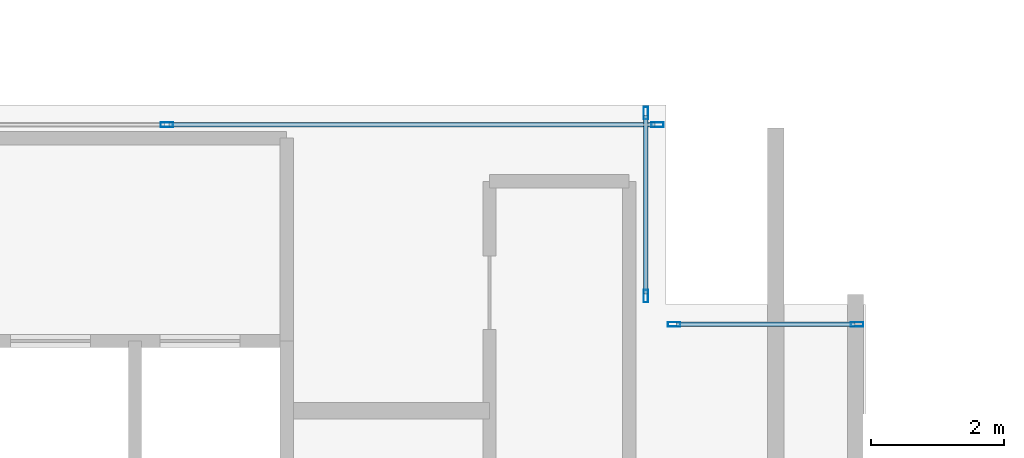
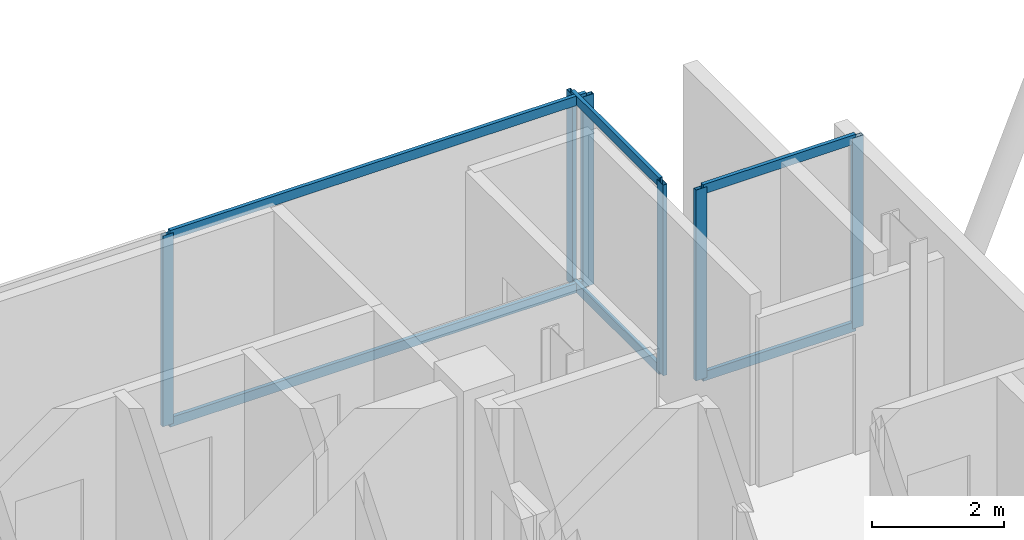
# One storey, part 13 of 26: 12 members, 3 elements without a shape of their own.
"""IFC4 building model written with IfcOpenShell, lengths in metres."""

from ifc_helpers import new_model, si_unit, direction, frame, origin, origin_2d, place, context, subcontext, project, spatial, hollow_rectangle, extrude, material, layer, layer_set, material_profile, profile_set, type_object, element, aggregate, save


model = new_model("IFC4")

# Units and contexts
model_context = context("Model", 3, precision=1e-05, world=origin(), true_north=direction((0.0, 1.0)))
body_context = subcontext(model_context, "Body", "Model", "MODEL_VIEW")
ifc_project = project(units=[si_unit("LENGTHUNIT", "METRE"), si_unit("AREAUNIT", "SQUARE_METRE"), si_unit("VOLUMEUNIT", "CUBIC_METRE"), si_unit("PLANEANGLEUNIT", "RADIAN"), si_unit("MASSUNIT", "GRAM", prefix="KILO"), si_unit("THERMODYNAMICTEMPERATUREUNIT", "KELVIN"), si_unit("POWERUNIT", "WATT")], contexts=[model_context])

# Site, building, storey
site_placement = place(None, origin())
site = spatial("IfcSite", under=ifc_project, at=site_placement, CompositionType="ELEMENT")
building_placement = place(site_placement, origin())
building = spatial("IfcBuilding", under=site, at=building_placement, Name="Svarakhadi Broadcast Tower", CompositionType="ELEMENT")
storey_placement = place(building_placement, frame((0.0, 0.0, 184.199951171875)))
storey = spatial("IfcBuildingStorey", under=building, at=storey_placement, Name="L45", CompositionType="ELEMENT", Elevation=184.199951171875)

# Curtain wall, members
ifc_material = material(Name="Anodised Bronze Aluminium AA 6063-T6", Category="aluminium")
ifc_layer = layer(ifc_material, 0.18994140625)
ifc_layer_set = layer_set([ifc_layer], Name="Anodised Bronze Aluminium AA 6063-T6")
curtain_wall_type = type_object("IfcCurtainWallType", Name="CW_Sys_04", PredefinedType="NOTDEFINED", material=ifc_layer_set)
curtain_wall_1_placement = place(storey_placement, origin())
curtain_wall_1 = element("IfcCurtainWall", 1, at=curtain_wall_1_placement, inside=storey, type_object=curtain_wall_type, Name="L45 Unitised Facade Curtain Wall 10", PredefinedType="NOTDEFINED")
ifc_material_profile_1 = material_profile(ifc_material, hollow_rectangle(XDim=0.070068359375, YDim=0.18994140625, WallThickness=0.005615234375, at=origin_2d()), Name="ALU MULLION 190x70x6")
ifc_profile_set_1 = profile_set([ifc_material_profile_1], Name="Anodised Bronze Aluminium AA 6063-T6")
member_type_1 = type_object("IfcMemberType", Name="CW_Sys_04_Mul", PredefinedType="MULLION", material=ifc_profile_set_1)
member_1_placement = place(storey_placement, frame((31.5, 23.699951171875, 0.0), z_axis=(0.0, 0.0, 1.0), x_axis=(0.0, 1.0, 0.0)))
member_1 = element("IfcMember", 2, at=member_1_placement, type_object=member_type_1, Name="CW-04 mullion 2", PredefinedType="MULLION", context=body_context, shape_type="SweptSolid", body=[
    extrude(hollow_rectangle(XDim=0.070068359375, YDim=0.18994140625, WallThickness=0.005615234375, at=origin_2d()), origin(), (0.0, 0.0, 1.0), 3.5400390625),
])
member_2_placement = place(storey_placement, frame((38.875, 23.699951171875, 0.0), z_axis=(0.0, 0.0, 1.0), x_axis=(0.0, 1.0, 0.0)))
member_2 = element("IfcMember", 3, at=member_2_placement, type_object=member_type_1, Name="CW-04 mullion 3", PredefinedType="MULLION", context=body_context, shape_type="SweptSolid", body=[
    extrude(hollow_rectangle(XDim=0.070068359375, YDim=0.18994140625, WallThickness=0.005615234375, at=origin_2d()), origin(), (0.0, 0.0, 1.0), 3.5400390625),
])

curtain_wall_2_placement = place(storey_placement, origin())
curtain_wall_2 = element("IfcCurtainWall", 4, at=curtain_wall_2_placement, inside=storey, type_object=curtain_wall_type, Name="L45 Unitised Facade Curtain Wall 11", PredefinedType="NOTDEFINED")
member_3_placement = place(storey_placement, frame((38.699951171875, 23.875, 0.0), z_axis=(0.0, 0.0, 1.0), x_axis=(1.0, 0.0, 0.0)))
member_3 = element("IfcMember", 5, at=member_3_placement, type_object=member_type_1, Name="CW-04 mullion 1", PredefinedType="MULLION", context=body_context, shape_type="SweptSolid", body=[
    extrude(hollow_rectangle(XDim=0.070068359375, YDim=0.18994140625, WallThickness=0.005615234375, at=origin_2d()), origin(), (0.0, 0.0, 1.0), 3.5400390625),
])
member_4_placement = place(storey_placement, frame((38.699951171875, 21.125, 0.0), z_axis=(0.0, 0.0, 1.0), x_axis=(1.0, 0.0, 0.0)))
member_4 = element("IfcMember", 6, at=member_4_placement, type_object=member_type_1, Name="CW-04 mullion 2", PredefinedType="MULLION", context=body_context, shape_type="SweptSolid", body=[
    extrude(hollow_rectangle(XDim=0.070068359375, YDim=0.18994140625, WallThickness=0.005615234375, at=origin_2d()), origin(), (0.0, 0.0, 1.0), 3.5400390625),
])

curtain_wall_3_placement = place(storey_placement, origin())
curtain_wall_3 = element("IfcCurtainWall", 7, at=curtain_wall_3_placement, inside=storey, type_object=curtain_wall_type, Name="L45 Unitised Facade Curtain Wall 12", PredefinedType="NOTDEFINED")
member_5_placement = place(storey_placement, frame((39.125, 20.699951171875, 0.0), z_axis=(0.0, 0.0, 1.0), x_axis=(0.0, 1.0, 0.0)))
member_5 = element("IfcMember", 8, at=member_5_placement, type_object=member_type_1, Name="CW-04 mullion 1", PredefinedType="MULLION", context=body_context, shape_type="SweptSolid", body=[
    extrude(hollow_rectangle(XDim=0.070068359375, YDim=0.18994140625, WallThickness=0.005615234375, at=origin_2d()), origin(), (0.0, 0.0, 1.0), 3.5400390625),
])
member_6_placement = place(storey_placement, frame((41.875, 20.699951171875, 0.0), z_axis=(0.0, 0.0, 1.0), x_axis=(0.0, 1.0, 0.0)))
member_6 = element("IfcMember", 9, at=member_6_placement, type_object=member_type_1, Name="CW-04 mullion 2", PredefinedType="MULLION", context=body_context, shape_type="SweptSolid", body=[
    extrude(hollow_rectangle(XDim=0.070068359375, YDim=0.18994140625, WallThickness=0.005615234375, at=origin_2d()), origin(), (0.0, 0.0, 1.0), 3.5400390625),
])

# Member
ifc_material_profile_2 = material_profile(ifc_material, hollow_rectangle(XDim=0.06494140625, YDim=0.175048828125, WallThickness=0.0048828125, at=origin_2d()), Name="ALU TRANSOM 175x65x5")
ifc_profile_set_2 = profile_set([ifc_material_profile_2], Name="Anodised Bronze Aluminium AA 6063-T6")
member_type_2 = type_object("IfcMemberType", Name="CW_Sys_04_Trn", PredefinedType="USERDEFINED", material=ifc_profile_set_2)
member_7_placement = place(storey_placement, frame((31.534912109375, 23.699951171875, 0.032470703125), z_axis=(1.0, 0.0, 0.0), x_axis=(0.0, 1.0, 0.0)))
member_7 = element("IfcMember", 10, at=member_7_placement, type_object=member_type_2, Name="CW-04 transom 2.1", ObjectType="TRANSOM", PredefinedType="USERDEFINED", context=body_context, shape_type="SweptSolid", body=[
    extrude(hollow_rectangle(XDim=0.06494140625, YDim=0.175048828125, WallThickness=0.0048828125, at=origin_2d()), origin(), (0.0, 0.0, 1.0), 7.30517578125),
])

member_8_placement = place(storey_placement, frame((31.534912109375, 23.699951171875, 3.507568359375), z_axis=(1.0, 0.0, 0.0), x_axis=(0.0, 1.0, 0.0)))
member_8 = element("IfcMember", 11, at=member_8_placement, type_object=member_type_2, Name="CW-04 transom 2.2", ObjectType="TRANSOM", PredefinedType="USERDEFINED", context=body_context, shape_type="SweptSolid", body=[
    extrude(hollow_rectangle(XDim=0.06494140625, YDim=0.175048828125, WallThickness=0.0048828125, at=origin_2d()), origin(), (0.0, 0.0, 1.0), 7.30517578125),
])

aggregate(curtain_wall_1, [member_1, member_2, member_7, member_8])

member_9_placement = place(storey_placement, frame((38.699951171875, 23.840087890625, 0.032470703125), z_axis=(0.0, -1.0, 0.0), x_axis=(1.0, 0.0, 0.0)))
member_9 = element("IfcMember", 12, at=member_9_placement, type_object=member_type_2, Name="CW-04 transom 1.1", ObjectType="TRANSOM", PredefinedType="USERDEFINED", context=body_context, shape_type="SweptSolid", body=[
    extrude(hollow_rectangle(XDim=0.06494140625, YDim=0.175048828125, WallThickness=0.0048828125, at=origin_2d()), origin(), (0.0, 0.0, 1.0), 2.68017578125),
])

member_10_placement = place(storey_placement, frame((38.699951171875, 23.840087890625, 3.507568359375), z_axis=(0.0, -1.0, 0.0), x_axis=(1.0, 0.0, 0.0)))
member_10 = element("IfcMember", 13, at=member_10_placement, type_object=member_type_2, Name="CW-04 transom 1.2", ObjectType="TRANSOM", PredefinedType="USERDEFINED", context=body_context, shape_type="SweptSolid", body=[
    extrude(hollow_rectangle(XDim=0.06494140625, YDim=0.175048828125, WallThickness=0.0048828125, at=origin_2d()), origin(), (0.0, 0.0, 1.0), 2.68017578125),
])

aggregate(curtain_wall_2, [member_3, member_4, member_9, member_10])

member_11_placement = place(storey_placement, frame((39.159912109375, 20.699951171875, 0.032470703125), z_axis=(1.0, 0.0, 0.0), x_axis=(0.0, 1.0, 0.0)))
member_11 = element("IfcMember", 14, at=member_11_placement, type_object=member_type_2, Name="CW-04 transom 1.1", ObjectType="TRANSOM", PredefinedType="USERDEFINED", context=body_context, shape_type="SweptSolid", body=[
    extrude(hollow_rectangle(XDim=0.06494140625, YDim=0.175048828125, WallThickness=0.0048828125, at=origin_2d()), origin(), (0.0, 0.0, 1.0), 2.68017578125),
])

member_12_placement = place(storey_placement, frame((39.159912109375, 20.699951171875, 3.507568359375), z_axis=(1.0, 0.0, 0.0), x_axis=(0.0, 1.0, 0.0)))
member_12 = element("IfcMember", 15, at=member_12_placement, type_object=member_type_2, Name="CW-04 transom 1.2", ObjectType="TRANSOM", PredefinedType="USERDEFINED", context=body_context, shape_type="SweptSolid", body=[
    extrude(hollow_rectangle(XDim=0.06494140625, YDim=0.175048828125, WallThickness=0.0048828125, at=origin_2d()), origin(), (0.0, 0.0, 1.0), 2.68017578125),
])

aggregate(curtain_wall_3, [member_5, member_6, member_11, member_12])

save(model, "model.ifc")
